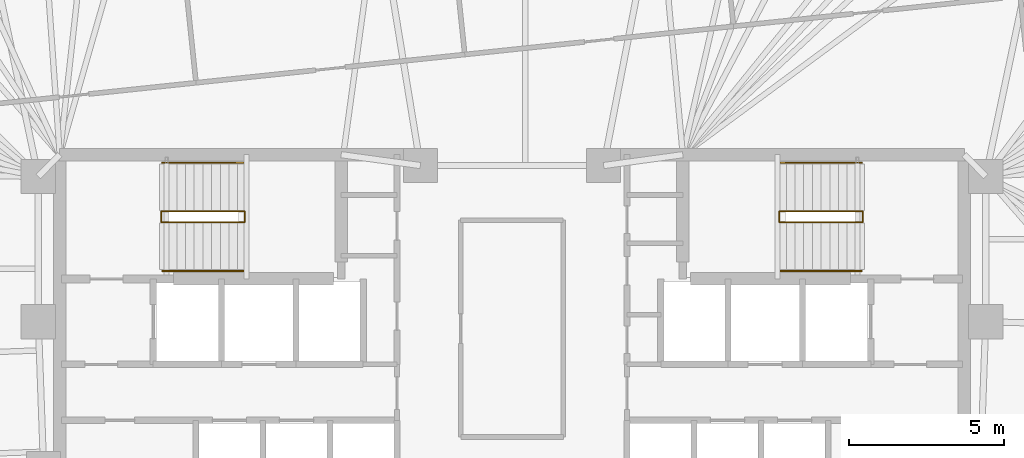
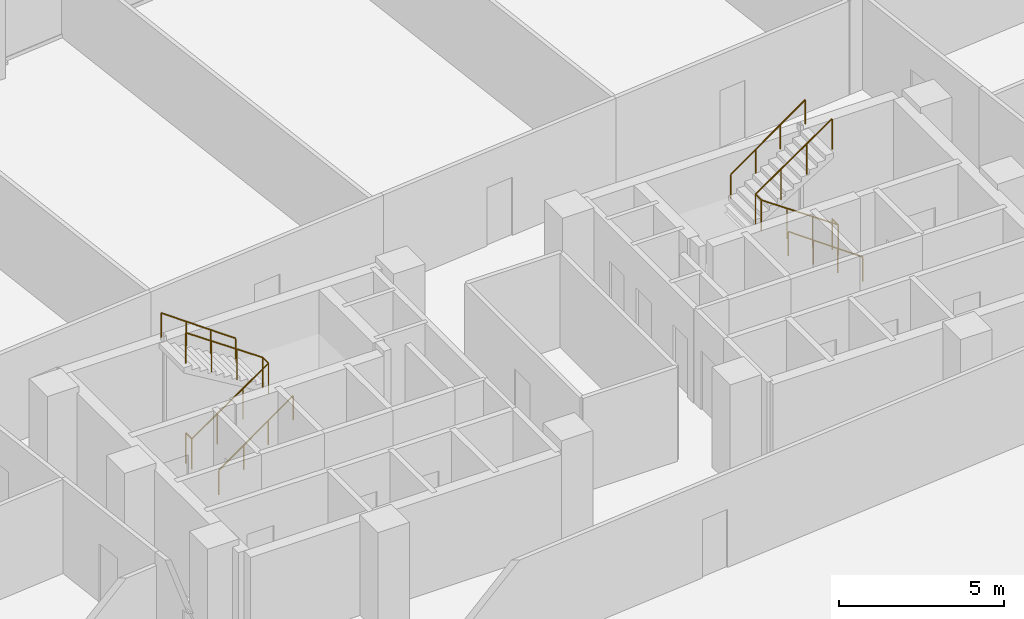
# One storey, part 18 of 18: 6 railings.
"""IFC4 building model written with IfcOpenShell, lengths in metres."""

import ifcopenshell
import ifcopenshell.guid

model = None  # the IFC model being written
_history = None  # IfcOwnerHistory: only IFC2X3 demands one
_inside = {}  # id of a spatial element -> (the spatial element, [elements in it])
_under = {}  # id of a project, library or spatial element -> (it, [spatial elements below it])
_declared = {}  # id of a project -> (the project, [libraries it declares])
_typed = {}  # id of a type object -> (the type object, [elements of that type])
_made_of = {}  # id of a material, layer set ... -> (it, [elements and type objects made of it])


def new_model(schema):
    """Start an empty IFC model of exactly this schema.

    Asked for "IFC4X3", IfcOpenShell would pick the latest addendum, in which some entities
    have other attributes; the version numbers below select the first issue.
    IFC2X3 requires an IfcOwnerHistory on every rooted entity: one is made here for all.
    """
    global model, _history
    if schema == "IFC4X3":
        model = ifcopenshell.file(schema_version=(4, 3, 0, 0))
    else:
        model = ifcopenshell.file(schema=schema)
    _inside.clear()
    _under.clear()
    _declared.clear()
    _typed.clear()
    _made_of.clear()
    _history = None
    if model.schema == "IFC2X3":
        org = make("IfcOrganization", Name="unknown")
        user = make(
            "IfcPersonAndOrganization",
            ThePerson=make("IfcPerson", FamilyName="unknown"),
            TheOrganization=org,
        )
        app = make(
            "IfcApplication",
            ApplicationDeveloper=org,
            Version="unknown",
            ApplicationFullName="unknown",
            ApplicationIdentifier="unknown",
        )
        _history = make(
            "IfcOwnerHistory",
            OwningUser=user,
            OwningApplication=app,
            ChangeAction="ADDED",
            CreationDate=0,
        )
    return model


def make(cls, **values):
    """One entity of the class cls with the attributes given. An attribute that is None is left unset."""
    return model.create_entity(
        cls, **{name: value for name, value in values.items() if value is not None}
    )


def rooted(cls, **values):
    """An entity with a GlobalId (a new one), such as an element, a storey or a relation."""
    return make(cls, GlobalId=ifcopenshell.guid.new(), OwnerHistory=_history, **values)


def si_unit(unit_type, name, prefix=None):
    """IfcSIUnit, for example si_unit("LENGTHUNIT", "METRE", prefix="MILLI")."""
    return make("IfcSIUnit", UnitType=unit_type, Prefix=prefix, Name=name)


def assignment(units):
    """IfcUnitAssignment: the units of a project."""
    return None if units is None else make("IfcUnitAssignment", Units=units)


def point(xyz):
    """IfcCartesianPoint."""
    return None if xyz is None else make("IfcCartesianPoint", Coordinates=xyz)


def direction(xyz):
    """IfcDirection."""
    return None if xyz is None else make("IfcDirection", DirectionRatios=xyz)


def frame(location, z_axis=None, x_axis=None):
    """IfcAxis2Placement3D, a coordinate frame: its origin and axes. An axis left out is left unset."""
    return make(
        "IfcAxis2Placement3D",
        Location=point(location),
        Axis=direction(z_axis),
        RefDirection=direction(x_axis),
    )


def frame_2d(location, x_axis=None):
    """IfcAxis2Placement2D, a coordinate frame in the plane: its origin and x axis."""
    return make(
        "IfcAxis2Placement2D", Location=point(location), RefDirection=direction(x_axis)
    )


def origin():
    """The frame at (0, 0, 0) with its axes left unset."""
    return frame((0.0, 0.0, 0.0))


def origin_2d():
    """The frame at (0, 0) in the plane with its x axis left unset."""
    return frame_2d((0.0, 0.0))


def place(relative_to, where):
    """IfcLocalPlacement: puts the frame where relative to a parent placement (None: the world)."""
    return make(
        "IfcLocalPlacement", PlacementRelTo=relative_to, RelativePlacement=where
    )


def context(
    kind, dimensions, precision=None, world=None, true_north=None, identifier=None
):
    """IfcGeometricRepresentationContext, for example the 3D "Model" context."""
    return make(
        "IfcGeometricRepresentationContext",
        ContextIdentifier=identifier,
        ContextType=kind,
        CoordinateSpaceDimension=dimensions,
        Precision=precision,
        WorldCoordinateSystem=world,
        TrueNorth=true_north,
    )


def subcontext(parent, identifier, kind, view, scale=None):
    """IfcGeometricRepresentationSubContext, for example "Body" below "Model"."""
    return make(
        "IfcGeometricRepresentationSubContext",
        ContextIdentifier=identifier,
        ContextType=kind,
        ParentContext=parent,
        TargetScale=scale,
        TargetView=view,
    )


def project(units=None, contexts=None):
    """IfcProject with its units and contexts."""
    return rooted(
        "IfcProject",
        Name="project",
        RepresentationContexts=contexts,
        UnitsInContext=assignment(units),
    )


def spatial(cls, under=None, at=None, **own):
    """A site, building, storey or space (cls), placed at a placement, below another one or the project."""
    s = rooted(cls, ObjectPlacement=at, **own)
    if under is not None:
        _under.setdefault(under.id(), (under, []))[1].append(s)
    return s


def profile(cls, at=None, kind="AREA", **sizes):
    """A parametric profile (cls). Its sizes go by their IFC names, for example OverallWidth=200.0."""
    return make(cls, ProfileType=kind, Position=at, **sizes)


def circle(**sizes):
    """IfcCircleProfileDef."""
    return profile("IfcCircleProfileDef", **sizes)


def extrude(swept, where, along, depth):
    """IfcExtrudedAreaSolid: the profile swept, set in the frame where, extruded along a direction by depth."""
    return make(
        "IfcExtrudedAreaSolid",
        SweptArea=swept,
        Position=where,
        ExtrudedDirection=direction(along),
        Depth=depth,
    )


def shape(context_of_items, identifier, shape_type, items):
    """IfcShapeRepresentation: the items that make up one representation, for example the "Body"."""
    return make(
        "IfcShapeRepresentation",
        ContextOfItems=context_of_items,
        RepresentationIdentifier=identifier,
        RepresentationType=shape_type,
        Items=items,
    )


def material(Name=None, Category=None):
    """IfcMaterial."""
    return make("IfcMaterial", Name=Name, Category=Category)


def made_of(thing, what):
    """Note that an element or type object is made of a material, layer set ...; save() writes the relation."""
    if what is not None:
        _made_of.setdefault(what.id(), (what, []))[1].append(thing)
    return thing


def type_object(cls, material=None, **own):
    """A type object (cls), such as IfcWallType, which elements share."""
    return made_of(rooted(cls, **own), material)


def element(
    cls,
    number,
    at=None,
    inside=None,
    cuts=None,
    type_object=None,
    material=None,
    context=None,
    identifier="Body",
    shape_type=None,
    held_by="IfcProductDefinitionShape",
    body=None,
    shapes=None,
    **own,
):
    """One element of the class cls, such as IfcWall. Its Tag is "e" and its number.

    at: its placement. inside: the storey or other place that contains it. cuts: it is an
    opening in that element (IfcRelVoidsElement). A single representation is given by context,
    identifier, shape_type and body (its items); several are given by shapes. held_by: the class
    of the entity that holds the representations. save() writes the other relations.
    """
    e = rooted(cls, Tag="e%d" % number, ObjectPlacement=at, **own)
    if body is not None:
        shapes = [shape(context, identifier, shape_type, body)]
    if shapes is not None:
        e.Representation = make(held_by, Representations=shapes)
    if inside is not None:
        _inside.setdefault(inside.id(), (inside, []))[1].append(e)
    if cuts is not None:
        rooted(
            "IfcRelVoidsElement", RelatingBuildingElement=cuts, RelatedOpeningElement=e
        )
    if type_object is not None:
        _typed.setdefault(type_object.id(), (type_object, []))[1].append(e)
    return made_of(e, material)


def aggregate(whole, parts):
    """IfcRelAggregates: a whole, such as a stair, and the parts it consists of."""
    return rooted("IfcRelAggregates", RelatingObject=whole, RelatedObjects=parts)


def save(model, path):
    """Write the relations noted so far, then the file.

    IfcRelAggregates (storeys below a building ...), IfcRelContainedInSpatialStructure (elements
    in a storey), IfcRelDefinesByType, IfcRelAssociatesMaterial and IfcRelDeclares: one each for
    every whole, place, type object, material and project.
    """
    for whole, parts in _under.values():
        aggregate(whole, parts)
    for where, things in _inside.values():
        rooted(
            "IfcRelContainedInSpatialStructure",
            RelatedElements=things,
            RelatingStructure=where,
        )
    for kind, things in _typed.values():
        rooted("IfcRelDefinesByType", RelatedObjects=things, RelatingType=kind)
    for what, things in _made_of.values():
        rooted("IfcRelAssociatesMaterial", RelatedObjects=things, RelatingMaterial=what)
    for by, libraries in _declared.values():
        rooted("IfcRelDeclares", RelatingContext=by, RelatedDefinitions=libraries)
    model.write(path)


model = new_model("IFC4")

# Units and contexts
model_context = context("Model", 3, precision=1e-05, world=origin(), true_north=direction((0.0, 1.0)))
body_context = subcontext(model_context, "Body", "Model", "MODEL_VIEW")
ifc_project = project(units=[si_unit("LENGTHUNIT", "METRE"), si_unit("AREAUNIT", "SQUARE_METRE"), si_unit("VOLUMEUNIT", "CUBIC_METRE"), si_unit("PLANEANGLEUNIT", "RADIAN"), si_unit("MASSUNIT", "GRAM", prefix="KILO")], contexts=[model_context])

# Site, building, storey
site_placement = place(None, origin())
site = spatial("IfcSite", under=ifc_project, at=site_placement, CompositionType="ELEMENT")
building_placement = place(site_placement, origin())
building = spatial("IfcBuilding", under=site, at=building_placement, Name="Menara Jurai Vektor", CompositionType="ELEMENT")
storey_placement = place(building_placement, frame((0.0, 0.0, 128.10009765625)))
storey = spatial("IfcBuildingStorey", under=building, at=storey_placement, Name="L32", CompositionType="ELEMENT", Elevation=128.10009765625)

# Railings
ifc_material_1 = material(Name="Painted Galvanised Steel Balustrade", Category="steel")
railing_type_1 = type_object("IfcRailingType", Name="RAIL-STAIR-GUARD", PredefinedType="GUARDRAIL", material=ifc_material_1)
railing_1_placement = place(storey_placement, frame((-11.2900390625, 3.780029296875, 0.0)))
element("IfcRailing", 1, at=railing_1_placement, inside=storey, type_object=railing_type_1, Name="ST1 Stair Guardrail 1 L32", PredefinedType="GUARDRAIL", context=body_context, shape_type="SweptSolid", body=[
    extrude(circle(Radius=0.02392578125, at=origin_2d()), frame((0.0, 0.0, 1.1259765625), z_axis=(0.0, -1.0, 0.0), x_axis=(1.0, 0.0, 0.0)), (0.0, 0.0, 1.0), 0.360107421875),
    extrude(circle(Radius=0.02392578125, at=origin_2d()), frame((0.0, -0.360107421875, 1.1259765625), z_axis=(0.822979520584, 0.0, 0.568071041948), x_axis=(0.0, 1.0, 0.0)), (0.0, 0.0, 1.0), 3.25634765625),
    extrude(circle(Radius=0.02392578125, at=origin_2d()), frame((2.679931640625, -0.360107421875, 2.9755859375), z_axis=(0.0, 1.0, 0.0), x_axis=(-1.0, 0.0, 0.0)), (0.0, 0.0, 1.0), 0.360107421875),
    extrude(circle(Radius=0.02392578125, at=origin_2d()), frame((2.679931640625, 0.0, 2.9755859375), z_axis=(-0.822944469782, 0.0, 0.568121817619), x_axis=(0.0, -1.0, 0.0)), (0.0, 0.0, 1.0), 3.256591796875),
    extrude(circle(Radius=0.02099609375, at=origin_2d()), origin(), (0.0, 0.0, 1.0), 1.101806640625),
    extrude(circle(Radius=0.02099609375, at=origin_2d()), frame((0.0, -0.360107421875, 0.0)), (0.0, 0.0, 1.0), 1.101806640625),
    extrude(circle(Radius=0.02099609375, at=origin_2d()), frame((0.893310546875, -0.360107421875, 0.61669921875)), (0.0, 0.0, 1.0), 1.101806640625),
    extrude(circle(Radius=0.02099609375, at=origin_2d()), frame((1.78662109375, -0.360107421875, 1.233154296875)), (0.0, 0.0, 1.0), 1.101806640625),
    extrude(circle(Radius=0.02099609375, at=origin_2d()), frame((2.679931640625, -0.360107421875, 1.849853515625)), (0.0, 0.0, 1.0), 1.101806640625),
    extrude(circle(Radius=0.02099609375, at=origin_2d()), frame((2.679931640625, 0.0, 1.849853515625)), (0.0, 0.0, 1.0), 1.101806640625),
    extrude(circle(Radius=0.02099609375, at=origin_2d()), frame((1.78662109375, 0.0, 2.466552734375)), (0.0, 0.0, 1.0), 1.101806640625),
    extrude(circle(Radius=0.02099609375, at=origin_2d()), frame((0.893310546875, 0.0, 3.083251953125)), (0.0, 0.0, 1.0), 1.101806640625),
    extrude(circle(Radius=0.02099609375, at=origin_2d()), frame((0.0, 0.0, 3.699951171875)), (0.0, 0.0, 1.0), 1.101806640625),
])
railing_2_placement = place(storey_placement, frame((11.2900390625, 3.780029296875, 0.0)))
element("IfcRailing", 2, at=railing_2_placement, inside=storey, type_object=railing_type_1, Name="ST2 Stair Guardrail 1 L32", PredefinedType="GUARDRAIL", context=body_context, shape_type="SweptSolid", body=[
    extrude(circle(Radius=0.02392578125, at=origin_2d()), frame((0.0, 0.0, 1.1259765625), z_axis=(0.0, -1.0, 0.0), x_axis=(1.0, 0.0, 0.0)), (0.0, 0.0, 1.0), 0.360107421875),
    extrude(circle(Radius=0.02392578125, at=origin_2d()), frame((0.0, -0.360107421875, 1.1259765625), z_axis=(-0.822979520584, 0.0, 0.568071041948), x_axis=(0.0, -1.0, 0.0)), (0.0, 0.0, 1.0), 3.25634765625),
    extrude(circle(Radius=0.02392578125, at=origin_2d()), frame((-2.679931640625, -0.360107421875, 2.9755859375), z_axis=(0.0, 1.0, 0.0), x_axis=(-1.0, 0.0, 0.0)), (0.0, 0.0, 1.0), 0.360107421875),
    extrude(circle(Radius=0.02392578125, at=origin_2d()), frame((-2.679931640625, 0.0, 2.9755859375), z_axis=(0.822944469782, 0.0, 0.568121817619), x_axis=(0.0, 1.0, 0.0)), (0.0, 0.0, 1.0), 3.256591796875),
    extrude(circle(Radius=0.02099609375, at=origin_2d()), origin(), (0.0, 0.0, 1.0), 1.101806640625),
    extrude(circle(Radius=0.02099609375, at=origin_2d()), frame((0.0, -0.360107421875, 0.0)), (0.0, 0.0, 1.0), 1.101806640625),
    extrude(circle(Radius=0.02099609375, at=origin_2d()), frame((-0.893310546875, -0.360107421875, 0.61669921875)), (0.0, 0.0, 1.0), 1.101806640625),
    extrude(circle(Radius=0.02099609375, at=origin_2d()), frame((-1.78662109375, -0.360107421875, 1.233154296875)), (0.0, 0.0, 1.0), 1.101806640625),
    extrude(circle(Radius=0.02099609375, at=origin_2d()), frame((-2.679931640625, -0.360107421875, 1.849853515625)), (0.0, 0.0, 1.0), 1.101806640625),
    extrude(circle(Radius=0.02099609375, at=origin_2d()), frame((-2.679931640625, 0.0, 1.849853515625)), (0.0, 0.0, 1.0), 1.101806640625),
    extrude(circle(Radius=0.02099609375, at=origin_2d()), frame((-1.78662109375, 0.0, 2.466552734375)), (0.0, 0.0, 1.0), 1.101806640625),
    extrude(circle(Radius=0.02099609375, at=origin_2d()), frame((-0.893310546875, 0.0, 3.083251953125)), (0.0, 0.0, 1.0), 1.101806640625),
    extrude(circle(Radius=0.02099609375, at=origin_2d()), frame((0.0, 0.0, 3.699951171875)), (0.0, 0.0, 1.0), 1.101806640625),
])
ifc_material_2 = material(Name="Brushed Stainless Steel Handrail", Category="steel")
railing_type_2 = type_object("IfcRailingType", Name="RAIL-STAIR-HAND", PredefinedType="HANDRAIL", material=ifc_material_2)
railing_3_placement = place(storey_placement, frame((-11.25, 1.860107421875, 0.0)))
element("IfcRailing", 3, at=railing_3_placement, inside=storey, type_object=railing_type_2, Name="ST1 Stair Handrail 1 L32", PredefinedType="HANDRAIL", context=body_context, shape_type="SweptSolid", body=[
    extrude(circle(Radius=0.02392578125, at=origin_2d()), frame((0.0, 0.0, 0.89599609375), z_axis=(0.814822811145, 0.0, 0.579710088267), x_axis=(0.0, 1.0, 0.0)), (0.0, 0.0, 1.0), 3.19091796875),
    extrude(circle(Radius=0.02099609375, at=origin_2d()), origin(), (0.0, 0.0, 1.0), 0.871826171875),
    extrude(circle(Radius=0.02099609375, at=origin_2d()), frame((0.86669921875, 0.0, 0.61669921875)), (0.0, 0.0, 1.0), 0.871826171875),
    extrude(circle(Radius=0.02099609375, at=origin_2d()), frame((1.7333984375, 0.0, 1.233154296875)), (0.0, 0.0, 1.0), 0.871826171875),
    extrude(circle(Radius=0.02099609375, at=origin_2d()), frame((2.60009765625, 0.0, 1.849853515625)), (0.0, 0.0, 1.0), 0.871826171875),
])
railing_4_placement = place(storey_placement, frame((-8.64990234375, 5.340087890625, 1.849853515625)))
element("IfcRailing", 4, at=railing_4_placement, inside=storey, type_object=railing_type_2, Name="ST1 Stair Handrail 2 L32", PredefinedType="HANDRAIL", context=body_context, shape_type="SweptSolid", body=[
    extrude(circle(Radius=0.02392578125, at=origin_2d()), frame((0.0, 0.0, 0.89599609375), z_axis=(-0.814786671209, 0.0, 0.579760882106), x_axis=(0.0, -1.0, 0.0)), (0.0, 0.0, 1.0), 3.191162109375),
    extrude(circle(Radius=0.02099609375, at=origin_2d()), origin(), (0.0, 0.0, 1.0), 0.871826171875),
    extrude(circle(Radius=0.02099609375, at=origin_2d()), frame((-0.86669921875, 0.0, 0.61669921875)), (0.0, 0.0, 1.0), 0.871826171875),
    extrude(circle(Radius=0.02099609375, at=origin_2d()), frame((-1.7333984375, 0.0, 1.2333984375)), (0.0, 0.0, 1.0), 0.871826171875),
    extrude(circle(Radius=0.02099609375, at=origin_2d()), frame((-2.60009765625, 0.0, 1.85009765625)), (0.0, 0.0, 1.0), 0.871826171875),
])
railing_5_placement = place(storey_placement, frame((11.25, 1.860107421875, 0.0)))
element("IfcRailing", 5, at=railing_5_placement, inside=storey, type_object=railing_type_2, Name="ST2 Stair Handrail 1 L32", PredefinedType="HANDRAIL", context=body_context, shape_type="SweptSolid", body=[
    extrude(circle(Radius=0.02392578125, at=origin_2d()), frame((0.0, 0.0, 0.89599609375), z_axis=(-0.814822811145, 0.0, 0.579710088267), x_axis=(0.0, -1.0, 0.0)), (0.0, 0.0, 1.0), 3.19091796875),
    extrude(circle(Radius=0.02099609375, at=origin_2d()), origin(), (0.0, 0.0, 1.0), 0.871826171875),
    extrude(circle(Radius=0.02099609375, at=origin_2d()), frame((-0.86669921875, 0.0, 0.61669921875)), (0.0, 0.0, 1.0), 0.871826171875),
    extrude(circle(Radius=0.02099609375, at=origin_2d()), frame((-1.7333984375, 0.0, 1.233154296875)), (0.0, 0.0, 1.0), 0.871826171875),
    extrude(circle(Radius=0.02099609375, at=origin_2d()), frame((-2.60009765625, 0.0, 1.849853515625)), (0.0, 0.0, 1.0), 0.871826171875),
])
railing_6_placement = place(storey_placement, frame((8.64990234375, 5.340087890625, 1.849853515625)))
element("IfcRailing", 6, at=railing_6_placement, inside=storey, type_object=railing_type_2, Name="ST2 Stair Handrail 2 L32", PredefinedType="HANDRAIL", context=body_context, shape_type="SweptSolid", body=[
    extrude(circle(Radius=0.02392578125, at=origin_2d()), frame((0.0, 0.0, 0.89599609375), z_axis=(0.814786671209, 0.0, 0.579760882106), x_axis=(0.0, 1.0, 0.0)), (0.0, 0.0, 1.0), 3.191162109375),
    extrude(circle(Radius=0.02099609375, at=origin_2d()), origin(), (0.0, 0.0, 1.0), 0.871826171875),
    extrude(circle(Radius=0.02099609375, at=origin_2d()), frame((0.86669921875, 0.0, 0.61669921875)), (0.0, 0.0, 1.0), 0.871826171875),
    extrude(circle(Radius=0.02099609375, at=origin_2d()), frame((1.7333984375, 0.0, 1.2333984375)), (0.0, 0.0, 1.0), 0.871826171875),
    extrude(circle(Radius=0.02099609375, at=origin_2d()), frame((2.60009765625, 0.0, 1.85009765625)), (0.0, 0.0, 1.0), 0.871826171875),
])

save(model, "model.ifc")
